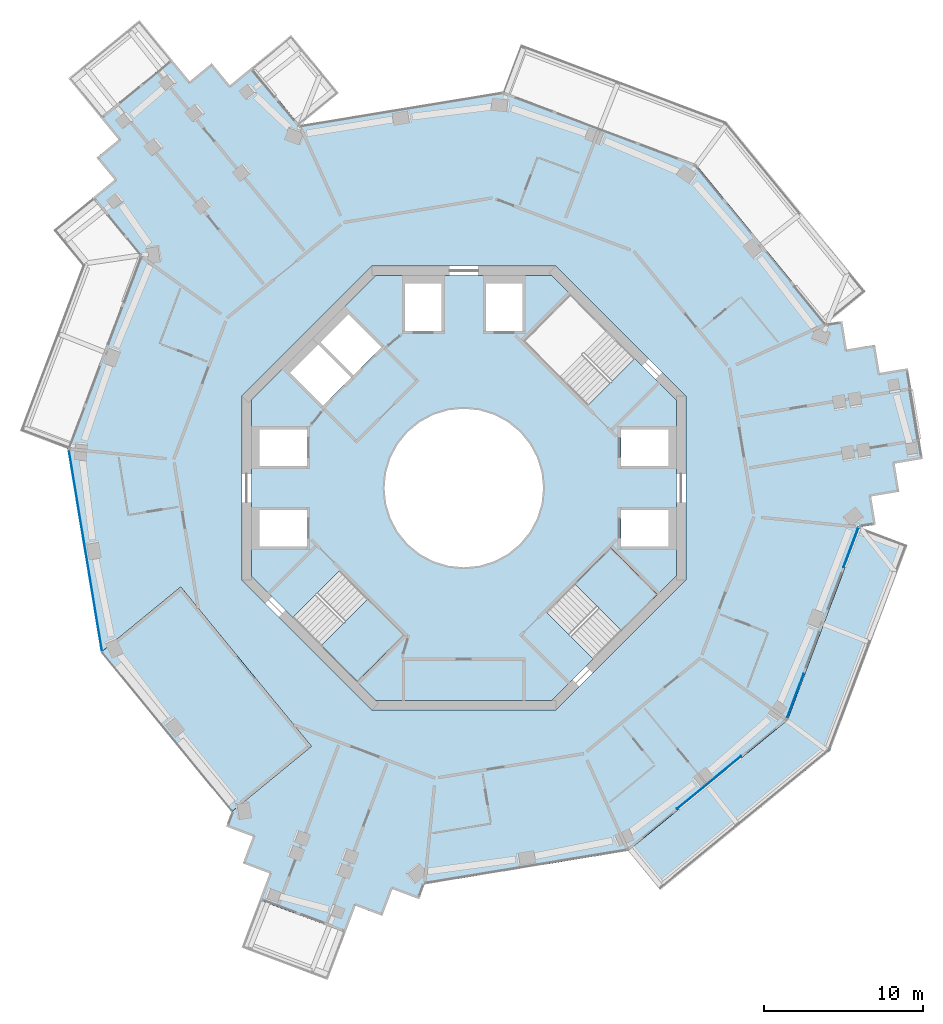
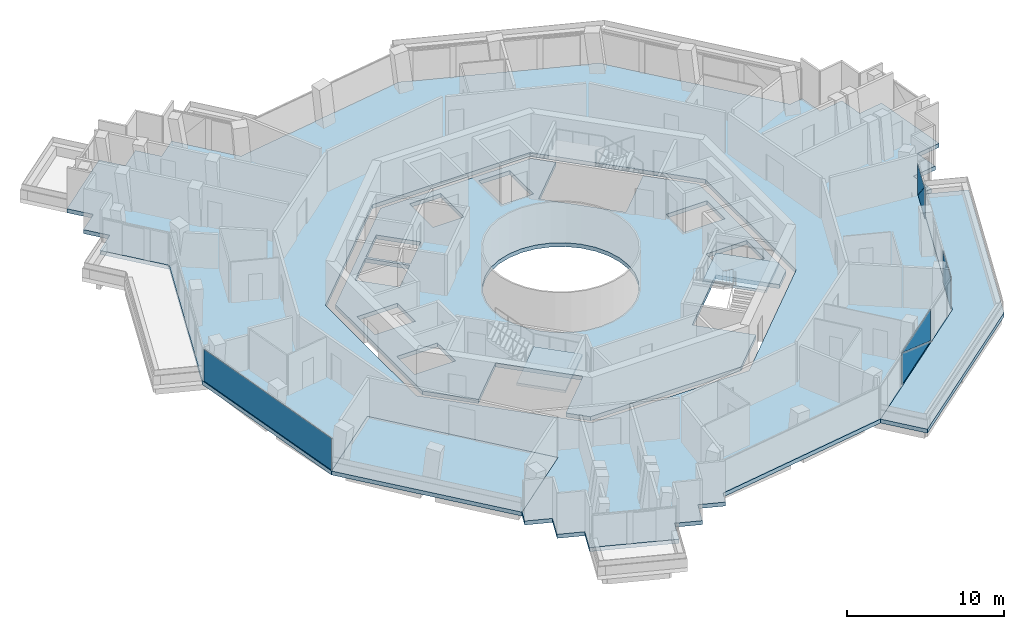
# One storey, part 11 of 21: 6 plates, 6 slabs, 5 elements without a shape of their own.
"""IFC4 building model written with IfcOpenShell, lengths in metres."""

from ifc_helpers import new_model, si_unit, direction, frame, origin, origin_2d, place, context, subcontext, project, spatial, polyline, rectangle, outline, extrude, material, layer, layer_set, type_object, element, aggregate, save


model = new_model("IFC4")

# Units and contexts
model_context = context("Model", 3, precision=1e-05, world=origin(), true_north=direction((0.0, 1.0)))
body_context = subcontext(model_context, "Body", "Model", "MODEL_VIEW")
ifc_project = project(units=[si_unit("LENGTHUNIT", "METRE"), si_unit("AREAUNIT", "SQUARE_METRE"), si_unit("VOLUMEUNIT", "CUBIC_METRE"), si_unit("PLANEANGLEUNIT", "RADIAN"), si_unit("MASSUNIT", "GRAM", prefix="KILO")], contexts=[model_context])

# Site, building, storey
site_placement = place(None, origin())
site = spatial("IfcSite", under=ifc_project, at=site_placement, CompositionType="ELEMENT")
building_placement = place(site_placement, origin())
building = spatial("IfcBuilding", under=site, at=building_placement, Name="Verdalira Terraces Hotel", CompositionType="ELEMENT")
storey_placement = place(building_placement, frame((0.0, 0.0, 194.0)))
storey = spatial("IfcBuildingStorey", under=building, at=storey_placement, Name="L47", CompositionType="ELEMENT", Elevation=194.0)

# Slab
ifc_material_1 = material(Name="Precast concrete C40/50", Category="concrete")
ifc_layer_1 = layer(ifc_material_1, 0.31005859375)
ifc_layer_set_1 = layer_set([ifc_layer_1], Name="Balcony deck 310")
slab_type_1 = type_object("IfcSlabType", Name="Balcony deck 310", PredefinedType="FLOOR", material=ifc_layer_set_1)
slab_1_placement = place(storey_placement, frame((0.0, 0.0, -0.310059)))
element("IfcSlab", 1, at=slab_1_placement, inside=storey, type_object=slab_type_1, Name="Balcony deck", PredefinedType="FLOOR", context=body_context, shape_type="SweptSolid", body=[
    extrude(outline(polyline([(27.987061, -3.596191), (24.992432, -2.468262), (20.410156, -14.633789), (10.358887, -22.878174), (12.388184, -25.352295), (23.102539, -16.564209), (27.987061, -3.596191)])), origin(), (0.0, 0.0, 1.0), 0.310059),
])

# Curtain wall, plate
ifc_material_2 = material(Name="Clear glass", Category="glass")
ifc_layer_2 = layer(ifc_material_2, 0.14990234375)
ifc_layer_set_2 = layer_set([ifc_layer_2], Name="CW1 curtain wall")
curtain_wall_type = type_object("IfcCurtainWallType", Name="CW1 curtain wall", PredefinedType="NOTDEFINED", material=ifc_layer_set_2)
curtain_wall_1_placement = place(storey_placement, origin())
curtain_wall_1 = element("IfcCurtainWall", 2, at=curtain_wall_1_placement, inside=storey, type_object=curtain_wall_type, Name="CW1 curtain wall L47 edge 12", PredefinedType="NOTDEFINED")
ifc_material_3 = material(Name="Clear glass", Category="glass")
ifc_layer_3 = layer(ifc_material_3, 0.028076171875)
ifc_layer_set_3 = layer_set([ifc_layer_3], Name="CW1 glass unit 28")
plate_type = type_object("IfcPlateType", Name="CW1 glass unit 28", PredefinedType="CURTAIN_PANEL", material=ifc_layer_set_3)
plate_1_placement = place(storey_placement, frame((-23.858154, -3.952881, 0.0), z_axis=(0.0, 0.0, 1.0), x_axis=(0.162637165, -0.986685944, 0.0)))
plate_1 = element("IfcPlate", 3, at=plate_1_placement, type_object=plate_type, Name="CW1 glass unit", PredefinedType="CURTAIN_PANEL", context=body_context, shape_type="SweptSolid", body=[
    extrude(rectangle(XDim=12.839844, YDim=0.028076, at=origin_2d()), origin(), (0.0, 0.0, 1.0), 2.475098),
])
aggregate(curtain_wall_1, [plate_1])

# Curtain wall, plates
curtain_wall_2_placement = place(storey_placement, origin())
curtain_wall_2 = element("IfcCurtainWall", 4, at=curtain_wall_2_placement, inside=storey, type_object=curtain_wall_type, Name="CW1 curtain wall L47 edge 26", PredefinedType="NOTDEFINED")
plate_2_placement = place(storey_placement, frame((15.466797, -18.573486, 1.237549), z_axis=(0.634190889, -0.773176511, 0.0), x_axis=(0.773176511, 0.634190889, 0.0)))
plate_2 = element("IfcPlate", 5, at=plate_2_placement, type_object=plate_type, Name="CW1 glass unit", PredefinedType="CURTAIN_PANEL", context=body_context, shape_type="SweptSolid", body=[
    extrude(outline(polyline([(-2.611816, -1.237549), (2.611816, -1.237549), (-2.611816, 1.237549), (-2.611816, -1.237549)])), origin(), (0.0, 0.0, 1.0), 0.028076),
])
plate_3_placement = place(storey_placement, frame((15.448242, -18.551025, 1.237549), z_axis=(0.634190889, -0.773176511, 0.0), x_axis=(0.773176511, 0.634190889, 0.0)))
plate_3 = element("IfcPlate", 6, at=plate_3_placement, type_object=plate_type, Name="CW1 glass unit", PredefinedType="CURTAIN_PANEL", context=body_context, shape_type="SweptSolid", body=[
    extrude(outline(polyline([(2.611816, -1.237549), (2.611816, 1.237549), (-2.611816, 1.237549), (2.611816, -1.237549)])), origin(), (0.0, 0.0, 1.0), 0.028076),
])
aggregate(curtain_wall_2, [plate_2, plate_3])

curtain_wall_3_placement = place(storey_placement, origin())
curtain_wall_3 = element("IfcCurtainWall", 7, at=curtain_wall_3_placement, inside=storey, type_object=curtain_wall_type, Name="CW1 curtain wall L47 edge 27", PredefinedType="NOTDEFINED")
plate_4_placement = place(storey_placement, frame((20.903809, -13.109863, 0.0), z_axis=(0.0, 0.0, 1.0), x_axis=(0.352495055, 0.935813676, 0.0)))
plate_4 = element("IfcPlate", 8, at=plate_4_placement, type_object=plate_type, Name="CW1 glass unit", PredefinedType="CURTAIN_PANEL", context=body_context, shape_type="SweptSolid", body=[
    extrude(rectangle(XDim=2.999756, YDim=0.028076, at=origin_2d()), origin(), (0.0, 0.0, 1.0), 2.475098),
])
plate_5_placement = place(storey_placement, frame((24.415771, -3.746338, 1.237549), z_axis=(0.935813676, -0.352495055, 0.0), x_axis=(0.352495055, 0.935813676, 0.0)))
plate_5 = element("IfcPlate", 9, at=plate_5_placement, type_object=plate_type, Name="CW1 glass unit", PredefinedType="CURTAIN_PANEL", context=body_context, shape_type="SweptSolid", body=[
    extrude(outline(polyline([(-1.339355, -1.237549), (1.339355, -1.237549), (-1.339355, 1.237549), (-1.339355, -1.237549)])), origin(), (0.0, 0.0, 1.0), 0.028076),
])
plate_6_placement = place(storey_placement, frame((24.388672, -3.736084, 1.237549), z_axis=(0.935813676, -0.352495055, 0.0), x_axis=(0.352495055, 0.935813676, 0.0)))
plate_6 = element("IfcPlate", 10, at=plate_6_placement, type_object=plate_type, Name="CW1 glass unit", PredefinedType="CURTAIN_PANEL", context=body_context, shape_type="SweptSolid", body=[
    extrude(outline(polyline([(1.339355, -1.237549), (1.339355, 1.237549), (-1.339355, 1.237549), (1.339355, -1.237549)])), origin(), (0.0, 0.0, 1.0), 0.028076),
])
aggregate(curtain_wall_3, [plate_4, plate_5, plate_6])

# Slab
ifc_material_4 = material(Name="Concrete C40", Category="concrete")
ifc_layer_4 = layer(ifc_material_4, 0.31005859375)
ifc_layer_set_4 = layer_set([ifc_layer_4], Name="Core floor slab 310 mm")
slab_type_2 = type_object("IfcSlabType", Name="Core floor slab 310 mm", PredefinedType="FLOOR", material=ifc_layer_set_4)
slab_2_placement = place(storey_placement, frame((0.0, 0.0, -0.310059)))
element("IfcSlab", 11, at=slab_2_placement, inside=storey, type_object=slab_type_2, Name="L47 core floor", PredefinedType="FLOOR", context=body_context, shape_type="SweptSolid", body=[
    extrude(outline(polyline([(-6.703369, -12.24707), (-3.719482, -9.263184), (-7.799072, -5.18335), (-10.782959, -8.16748), (-13.399902, -5.550537), (-13.399902, 5.550537), (-5.550537, 13.399902), (5.550537, 13.399902), (6.703369, 12.24707), (3.719482, 9.263184), (7.799072, 5.18335), (10.782959, 8.16748), (13.399902, 5.550537), (13.399902, -5.550537), (12.24707, -6.703369), (9.263184, -3.719482), (5.18335, -7.799072), (8.16748, -10.782959), (5.550537, -13.399902), (-5.550537, -13.399902), (-6.703369, -12.24707)]), holes=[polyline([(9.899902, -1.399902), (9.899902, -3.699951), (12.899902, -3.699951), (12.899902, -1.399902), (9.899902, -1.399902)]), polyline([(9.899902, 3.699951), (9.899902, 1.399902), (12.899902, 1.399902), (12.899902, 3.699951), (9.899902, 3.699951)]), polyline([(3.699951, 12.899902), (1.399902, 12.899902), (1.399902, 9.899902), (3.699951, 9.899902), (3.699951, 12.899902)]), polyline([(-1.399902, 12.899902), (-3.699951, 12.899902), (-3.699951, 9.899902), (-1.399902, 9.899902), (-1.399902, 12.899902)]), polyline([(-9.899902, 1.399902), (-9.899902, 3.699951), (-12.899902, 3.699951), (-12.899902, 1.399902), (-9.899902, 1.399902)]), polyline([(-9.899902, -3.699951), (-9.899902, -1.399902), (-12.899902, -1.399902), (-12.899902, -3.699951), (-9.899902, -3.699951)]), polyline([(-9.051025, 9.192383), (-6.965088, 7.106445), (-5.197266, 8.874268), (-7.283203, 10.960205), (-9.051025, 9.192383)]), polyline([(-9.192383, 9.051025), (-10.960205, 7.283203), (-8.874268, 5.197266), (-7.106445, 6.965088), (-9.192383, 9.051025)]), polyline([(3.5354, 3.5354), (2.777832, 4.157227), (1.91333, 4.619385), (0.975586, 4.903809), (0.0, 5.0), (-0.975586, 4.903809), (-1.91333, 4.619385), (-2.777832, 4.157227), (-3.5354, 3.5354), (-4.157227, 2.777832), (-4.619385, 1.91333), (-4.903809, 0.975586), (-5.0, 0.0), (-4.903809, -0.975586), (-4.619385, -1.91333), (-4.157227, -2.777832), (-3.5354, -3.5354), (-2.777832, -4.157227), (-1.91333, -4.619385), (-0.975586, -4.903809), (0.0, -5.0), (0.975586, -4.903809), (1.91333, -4.619385), (2.777832, -4.157227), (3.5354, -3.5354), (4.157227, -2.777832), (4.619385, -1.91333), (4.903809, -0.975586), (5.0, 0.0), (4.903809, 0.975586), (4.619385, 1.91333), (4.157227, 2.777832), (3.5354, 3.5354)])]), origin(), (0.0, 0.0, 1.0), 0.310059),
])

# Stair, slab
ifc_material_5 = material(Name="Concrete C40", Category="concrete")
stair_type = type_object("IfcStairType", Name="Core stair 20 risers 2050 mm wide", PredefinedType="HALF_TURN_STAIR", material=ifc_material_5)
stair_1_placement = place(storey_placement, origin())
stair_1 = element("IfcStair", 12, at=stair_1_placement, inside=storey, type_object=stair_type, Name="L47 Exit stair ST2", PredefinedType="HALF_TURN_STAIR")
ifc_material_6 = material(Name="Concrete C40", Category="concrete")
ifc_layer_5 = layer(ifc_material_6, 0.199951171875)
ifc_layer_set_5 = layer_set([ifc_layer_5], Name="Core stair landing 200 mm")
slab_type_3 = type_object("IfcSlabType", Name="Core stair landing 200 mm", PredefinedType="LANDING", material=ifc_layer_set_5)
slab_3_placement = place(storey_placement, frame((0.0, 0.0, 1.550049)))
slab_3 = element("IfcSlab", 13, at=slab_3_placement, type_object=slab_type_3, Name="ST2 landing 1", PredefinedType="LANDING", context=body_context, shape_type="SweptSolid", body=[
    extrude(outline(polyline([(-9.001709, -9.94873), (-6.717529, -12.23291), (-3.747559, -9.263184), (-6.031982, -6.97876), (-9.001709, -9.94873)])), origin(), (0.0, 0.0, 1.0), 0.199951),
])
aggregate(stair_1, [slab_3])

stair_2_placement = place(storey_placement, origin())
stair_2 = element("IfcStair", 14, at=stair_2_placement, inside=storey, type_object=stair_type, Name="L47 Exit stair ST3", PredefinedType="HALF_TURN_STAIR")
slab_4_placement = place(storey_placement, frame((0.0, 0.0, 1.550049)))
slab_4 = element("IfcSlab", 15, at=slab_4_placement, type_object=slab_type_3, Name="ST3 landing 1", PredefinedType="LANDING", context=body_context, shape_type="SweptSolid", body=[
    extrude(outline(polyline([(9.94873, -9.001709), (12.23291, -6.717529), (9.263184, -3.747559), (6.97876, -6.031982), (9.94873, -9.001709)])), origin(), (0.0, 0.0, 1.0), 0.199951),
])
aggregate(stair_2, [slab_4])

# Slabs
ifc_material_7 = material(Name="Concrete C40", Category="concrete")
ifc_layer_6 = layer(ifc_material_7, 0.31005859375)
ifc_layer_set_6 = layer_set([ifc_layer_6], Name="Floor slab 310 C40")
slab_type_4 = type_object("IfcSlabType", Name="Floor slab 310 C40", PredefinedType="FLOOR", material=ifc_layer_set_6)
slab_5_placement = place(storey_placement, frame((0.0, 0.0, -0.310059)))
element("IfcSlab", 16, at=slab_5_placement, inside=storey, type_object=slab_type_4, Name="Floor slab L47", PredefinedType="FLOOR", context=body_context, shape_type="SweptSolid", body=[
    extrude(outline(polyline([(-20.410156, 14.633789), (-24.992432, 2.468262), (-22.878418, -10.358154), (-17.852539, -6.23584), (-9.607422, -16.287842), (-14.633789, -20.410889), (-14.633789, -20.410645), (-14.986084, -21.345947), (-13.301758, -21.980469), (-13.936279, -23.664795), (-12.251709, -24.299316), (-12.88623, -25.983887), (-7.458496, -28.02832), (-6.824219, -26.34375), (-5.139648, -26.978271), (-4.505127, -25.293701), (-2.820557, -25.928223), (-2.468262, -24.992432), (10.358887, -22.878174), (20.410156, -14.633789), (24.992432, -2.468262), (25.979248, -2.30542), (25.686279, -0.529541), (27.462402, -0.236816), (27.169678, 1.539307), (28.945801, 1.832031), (28.002441, 7.554688), (26.226318, 7.262207), (25.933594, 9.038086), (24.157715, 8.745361), (23.86499, 10.521484), (22.878174, 10.358887), (14.633789, 20.410156), (2.468262, 24.992432), (-10.358887, 22.878174), (-13.362305, 26.539795), (-14.753906, 25.398193), (-15.895508, 26.790039), (-17.287109, 25.648438), (-18.428711, 27.040283), (-22.913086, 23.361816), (-21.771484, 21.970215), (-23.16333, 20.828613), (-22.021729, 19.437012), (-23.413574, 18.29541), (-20.410156, 14.633789)]), holes=[polyline([(5.799072, 14.0), (14.0, 5.799072), (14.0, -5.799072), (5.799072, -14.0), (-5.799072, -14.0), (-14.0, -5.799072), (-14.0, 5.799072), (-5.799072, 14.0), (5.799072, 14.0)])]), origin(), (0.0, 0.0, 1.0), 0.310059),
])
ifc_material_8 = material(Name="Concrete C40", Category="concrete")
ifc_layer_7 = layer(ifc_material_8, 0.31005859375)
ifc_layer_set_7 = layer_set([ifc_layer_7], Name="Loggia floor deck 310 C40")
slab_type_5 = type_object("IfcSlabType", Name="Loggia floor deck 310 C40", PredefinedType="FLOOR", material=ifc_layer_set_7)
slab_6_placement = place(storey_placement, frame((0.0, 0.0, -0.310059)))
element("IfcSlab", 17, at=slab_6_placement, inside=storey, type_object=slab_type_5, Name="Loggia deck L47", PredefinedType="FLOOR", context=body_context, shape_type="SweptSolid", body=[
    extrude(outline(polyline([(-17.852539, -6.236572), (-22.878174, -10.358887), (-14.633789, -20.410156), (-9.608154, -16.287842), (-17.852539, -6.236572)])), origin(), (0.0, 0.0, 1.0), 0.310059),
])

save(model, "model.ifc")
